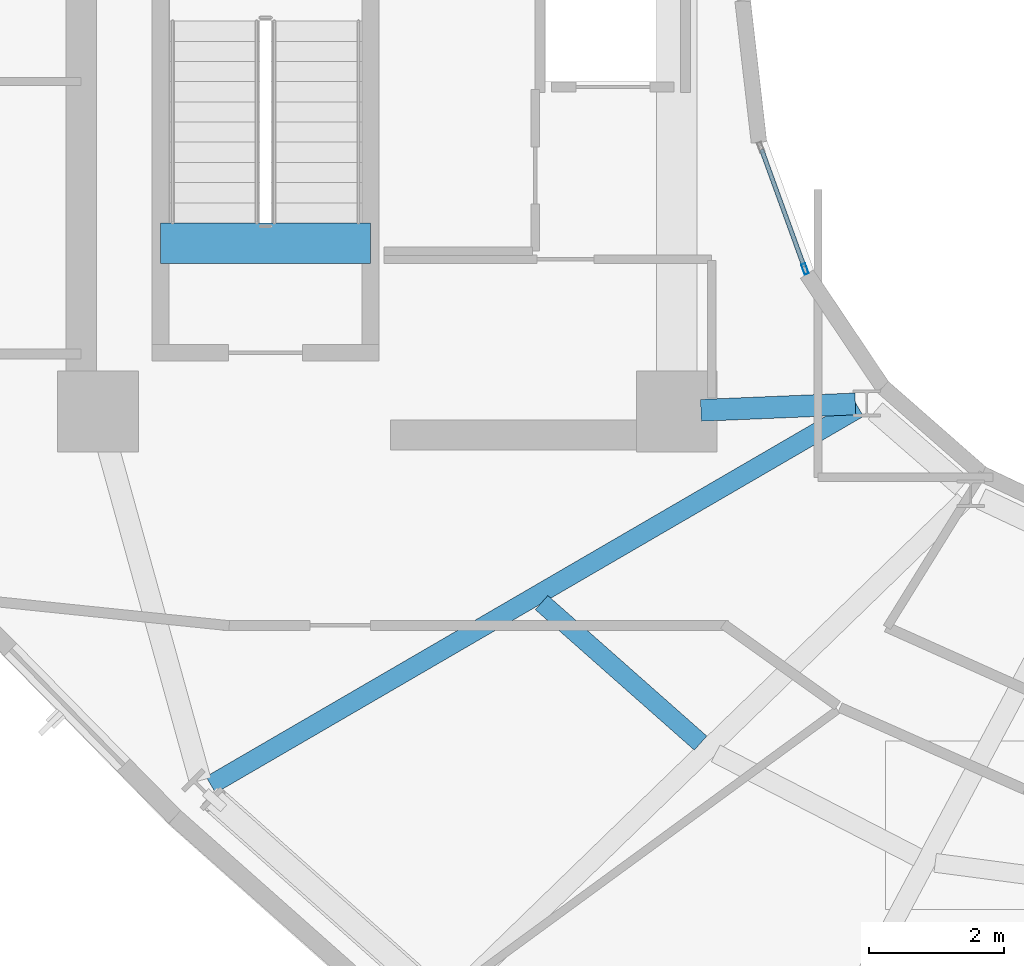
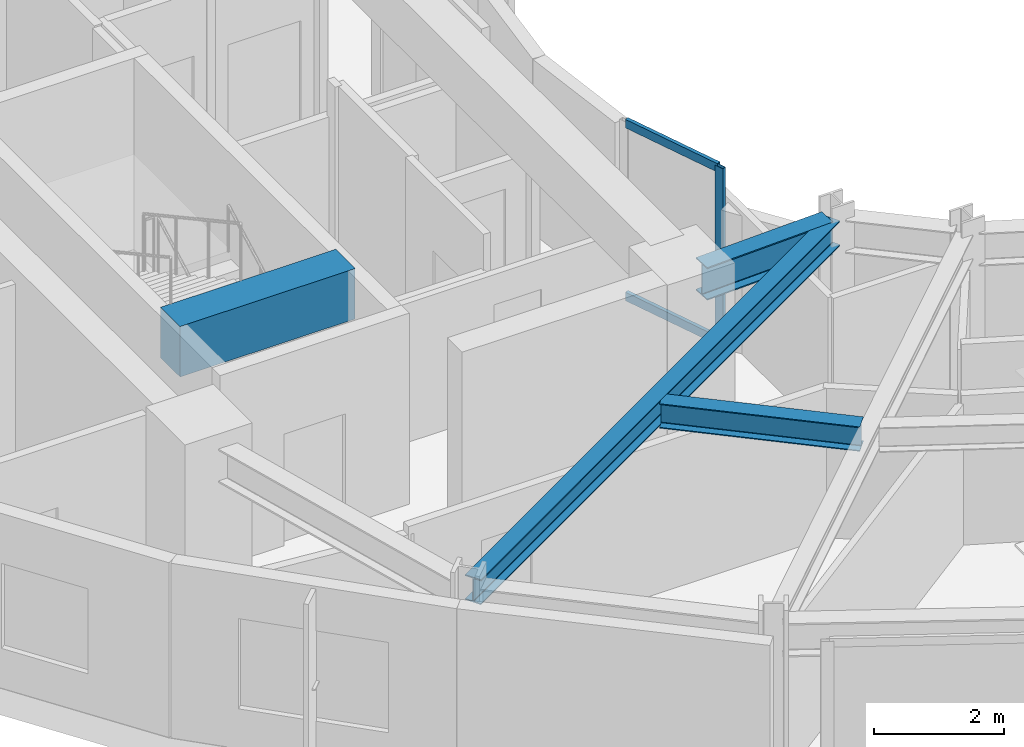
# One storey, part 3 of 25: 4 beams, 3 members, 1 element without a shape of its own.
"""IFC4 building model written with IfcOpenShell, lengths in metres."""

from ifc_helpers import new_model, si_unit, direction, frame, origin, origin_2d, place, context, subcontext, project, spatial, rectangle, hollow_rectangle, i_section, extrude, material, layer, layer_set, material_profile, profile_set, type_object, element, aggregate, save


model = new_model("IFC4")

# Units and contexts
model_context = context("Model", 3, precision=1e-05, world=origin(), true_north=direction((0.0, 1.0)))
body_context = subcontext(model_context, "Body", "Model", "MODEL_VIEW")
ifc_project = project(units=[si_unit("LENGTHUNIT", "METRE"), si_unit("AREAUNIT", "SQUARE_METRE"), si_unit("VOLUMEUNIT", "CUBIC_METRE"), si_unit("PLANEANGLEUNIT", "RADIAN"), si_unit("MASSUNIT", "GRAM", prefix="KILO")], contexts=[model_context])

# Site, building, storey
site_placement = place(None, origin())
site = spatial("IfcSite", under=ifc_project, at=site_placement, CompositionType="ELEMENT")
building_placement = place(site_placement, origin())
building = spatial("IfcBuilding", under=site, at=building_placement, Name="Solvane Sanctuary Tower", CompositionType="ELEMENT")
storey_placement = place(building_placement, frame((0.0, 0.0, 238.800048828125)))
storey = spatial("IfcBuildingStorey", under=building, at=storey_placement, Name="L73", CompositionType="ELEMENT", Elevation=238.800048828125)

# Beams
ifc_material_1 = material(Name="Concrete C70/85", Category="concrete")
ifc_material_profile_1 = material_profile(ifc_material_1, rectangle(XDim=0.60009765625, YDim=0.949951171875, at=origin_2d()), Name="RC600X950")
ifc_profile_set_1 = profile_set([ifc_material_profile_1], Name="Concrete C70/85")
beam_type_1 = type_object("IfcBeamType", Name="Beam B-COUPLE RC600X950", PredefinedType="LINTEL", material=ifc_profile_set_1)
beam_1_placement = place(storey_placement, frame((16.22998046875, 19.399169921875, 3.125), z_axis=(1.0, 0.0, 0.0), x_axis=(0.0, 1.0, 0.0)))
element("IfcBeam", 1, at=beam_1_placement, inside=storey, type_object=beam_type_1, Name="L73 ST-1 Stair Floor Landing Trimmer", PredefinedType="LINTEL", context=body_context, shape_type="SweptSolid", body=[
    extrude(rectangle(XDim=0.60009765625, YDim=0.949951171875, at=origin_2d()), origin(), (0.0, 0.0, 1.0), 3.1201171875),
])
ifc_material_2 = material(Name="Steel ASTM A992 Grade 50", Category="steel")
ifc_material_profile_2 = material_profile(ifc_material_2, i_section(OverallWidth=0.282958984375, OverallDepth=0.471923828125, WebThickness=0.013671875, FlangeThickness=0.022216796875, FilletRadius=0.013916015625, at=origin_2d()), Name="W18X97")
ifc_profile_set_2 = profile_set([ifc_material_profile_2], Name="Steel ASTM A992 Grade 50")
beam_type_2 = type_object("IfcBeamType", Name="Beam B-RAD-Z4 W18X97", PredefinedType="JOIST", material=ifc_profile_set_2)
beam_2_placement = place(storey_placement, frame((26.60400390625, 16.947509765625, 3.08203125), z_axis=(-0.864496775109, -0.502638364857, 0.0), x_axis=(0.502638364857, -0.864496775109, 0.0)))
element("IfcBeam", 2, at=beam_2_placement, inside=storey, type_object=beam_type_2, Name="L73 Radial Composite Floor Beam 08", PredefinedType="JOIST", context=body_context, shape_type="SweptSolid", body=[
    extrude(i_section(OverallWidth=0.282958984375, OverallDepth=0.471923828125, WebThickness=0.013671875, FlangeThickness=0.022216796875, FilletRadius=0.013916015625, at=origin_2d()), origin(), (0.0, 0.0, 1.0), 11.136962890625),
])
ifc_material_profile_3 = material_profile(ifc_material_2, i_section(OverallWidth=0.324951171875, OverallDepth=0.615966796875, WebThickness=0.013916015625, FlangeThickness=0.021484375, FilletRadius=0.01611328125, at=origin_2d()), Name="W24X117")
ifc_profile_set_3 = profile_set([ifc_material_profile_3], Name="Steel ASTM A992 Grade 50")
beam_type_3 = type_object("IfcBeamType", Name="Beam B-RING-IN2 W24X117", PredefinedType="BEAM", material=ifc_profile_set_3)
beam_3_placement = place(storey_placement, frame((24.259765625, 16.9150390625, 3.010009765625), z_axis=(0.9991319677, 0.04165706566, 0.0), x_axis=(-0.04165706566, 0.9991319677, 0.0)))
element("IfcBeam", 3, at=beam_3_placement, inside=storey, type_object=beam_type_3, Name="L73 Inner Light-Well Ring Beam CW2-IC08", PredefinedType="BEAM", context=body_context, shape_type="SweptSolid", body=[
    extrude(i_section(OverallWidth=0.324951171875, OverallDepth=0.615966796875, WebThickness=0.013916015625, FlangeThickness=0.021484375, FilletRadius=0.01611328125, at=origin_2d()), origin(), (0.0, 0.0, 1.0), 2.29736328125),
])
ifc_material_profile_4 = material_profile(ifc_material_2, i_section(OverallWidth=0.280029296875, OverallDepth=0.462890625, WebThickness=0.0107421875, FlangeThickness=0.017333984375, FilletRadius=0.013916015625, at=origin_2d()), Name="W18X76")
ifc_profile_set_4 = profile_set([ifc_material_profile_4], Name="Steel ASTM A992 Grade 50")
beam_type_4 = type_object("IfcBeamType", Name="Beam B-SEC-JOIST W18X76", PredefinedType="JOIST", material=ifc_profile_set_4)
beam_4_placement = place(storey_placement, frame((21.892333984375, 14.05810546875, 3.08642578125), z_axis=(0.749354102876, -0.662169486236, 0.0), x_axis=(0.662169486236, 0.749354102876, 0.0)))
element("IfcBeam", 4, at=beam_4_placement, inside=storey, type_object=beam_type_4, Name="L73 Secondary Circumferential Joist 08-09", PredefinedType="JOIST", context=body_context, shape_type="SweptSolid", body=[
    extrude(i_section(OverallWidth=0.280029296875, OverallDepth=0.462890625, WebThickness=0.0107421875, FlangeThickness=0.017333984375, FilletRadius=0.013916015625, at=origin_2d()), origin(), (0.0, 0.0, 1.0), 3.153076171875),
])

# Curtain wall, members
ifc_material_3 = material(Name="Anodised Aluminium 6063-T6", Category="aluminium")
ifc_layer = layer(ifc_material_3, 0.199951171875, Name="Anodised Aluminium 6063-T6")
ifc_layer_set = layer_set([ifc_layer], Name="Anodised Aluminium 6063-T6")
curtain_wall_type = type_object("IfcCurtainWallType", Name="Curtain Wall CW-WELL", PredefinedType="NOTDEFINED", material=ifc_layer_set)
curtain_wall_placement = place(storey_placement, origin())
curtain_wall = element("IfcCurtainWall", 5, at=curtain_wall_placement, inside=storey, type_object=curtain_wall_type, Name="L73 Light-Well Glazed Curtain Wall 13", PredefinedType="NOTDEFINED")
ifc_material_profile_5 = material_profile(ifc_material_3, hollow_rectangle(XDim=0.06494140625, YDim=0.159912109375, WallThickness=0.00341796875, at=origin_2d()), Name="ALU160X65X3.5")
ifc_profile_set_5 = profile_set([ifc_material_profile_5], Name="Anodised Aluminium 6063-T6")
member_type_1 = type_object("IfcMemberType", Name="Member M-CW-MUL-2 ALU160X65X3.5", PredefinedType="MULLION", material=ifc_profile_set_5)
member_1_placement = place(storey_placement, frame((25.8056640625, 19.017578125, 0.0), z_axis=(0.0, 0.0, 1.0), x_axis=(0.939933181429, 0.341358483781, 0.0)))
member_1 = element("IfcMember", 6, at=member_1_placement, type_object=member_type_1, Name="CW-WELL mullion 2", PredefinedType="MULLION", context=body_context, shape_type="SweptSolid", body=[
    extrude(hollow_rectangle(XDim=0.06494140625, YDim=0.159912109375, WallThickness=0.00341796875, at=origin_2d()), origin(), (0.0, 0.0, 1.0), 3.320068359375),
])
ifc_material_profile_6 = material_profile(ifc_material_3, hollow_rectangle(XDim=0.06494140625, YDim=0.159912109375, WallThickness=0.00341796875, at=origin_2d()), Name="ALU160X65X3.5")
ifc_profile_set_6 = profile_set([ifc_material_profile_6], Name="Anodised Aluminium 6063-T6")
member_type_2 = type_object("IfcMemberType", Name="Member M-CW-TRN-1 ALU160X65X3.5", PredefinedType="USERDEFINED", material=ifc_profile_set_6)
member_2_placement = place(storey_placement, frame((25.161865234375, 20.790283203125, 0.032470703125), z_axis=(0.341404620561, -0.939916424508, 0.0), x_axis=(0.939916424508, 0.341404620561, 0.0)))
member_2 = element("IfcMember", 7, at=member_2_placement, type_object=member_type_2, Name="CW-WELL transom 1.1", ObjectType="TRANSOM", PredefinedType="USERDEFINED", context=body_context, shape_type="SweptSolid", body=[
    extrude(hollow_rectangle(XDim=0.06494140625, YDim=0.159912109375, WallThickness=0.00341796875, at=origin_2d()), origin(), (0.0, 0.0, 1.0), 1.853515625),
])
member_3_placement = place(storey_placement, frame((25.161865234375, 20.790283203125, 3.287353515625), z_axis=(0.341404620561, -0.939916424508, 0.0), x_axis=(0.939916424508, 0.341404620561, 0.0)))
member_3 = element("IfcMember", 8, at=member_3_placement, type_object=member_type_2, Name="CW-WELL transom 1.2", ObjectType="TRANSOM", PredefinedType="USERDEFINED", context=body_context, shape_type="SweptSolid", body=[
    extrude(hollow_rectangle(XDim=0.06494140625, YDim=0.159912109375, WallThickness=0.00341796875, at=origin_2d()), origin(), (0.0, 0.0, 1.0), 1.853515625),
])
aggregate(curtain_wall, [member_1, member_2, member_3])

save(model, "model.ifc")
